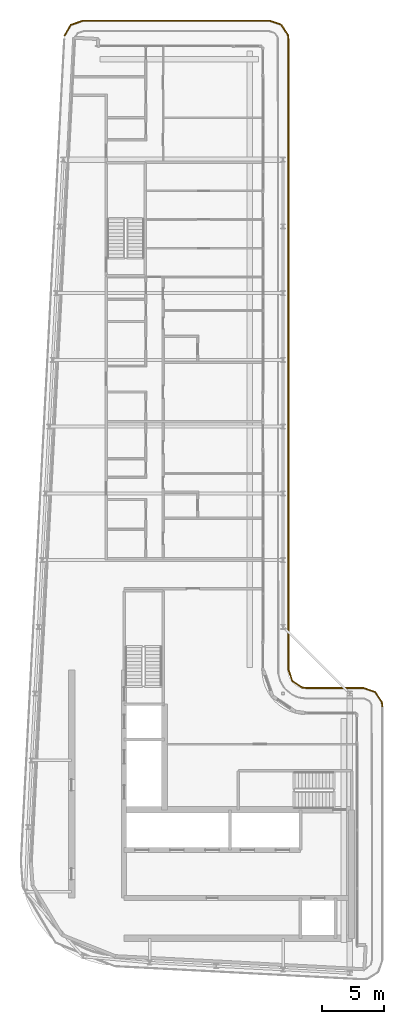
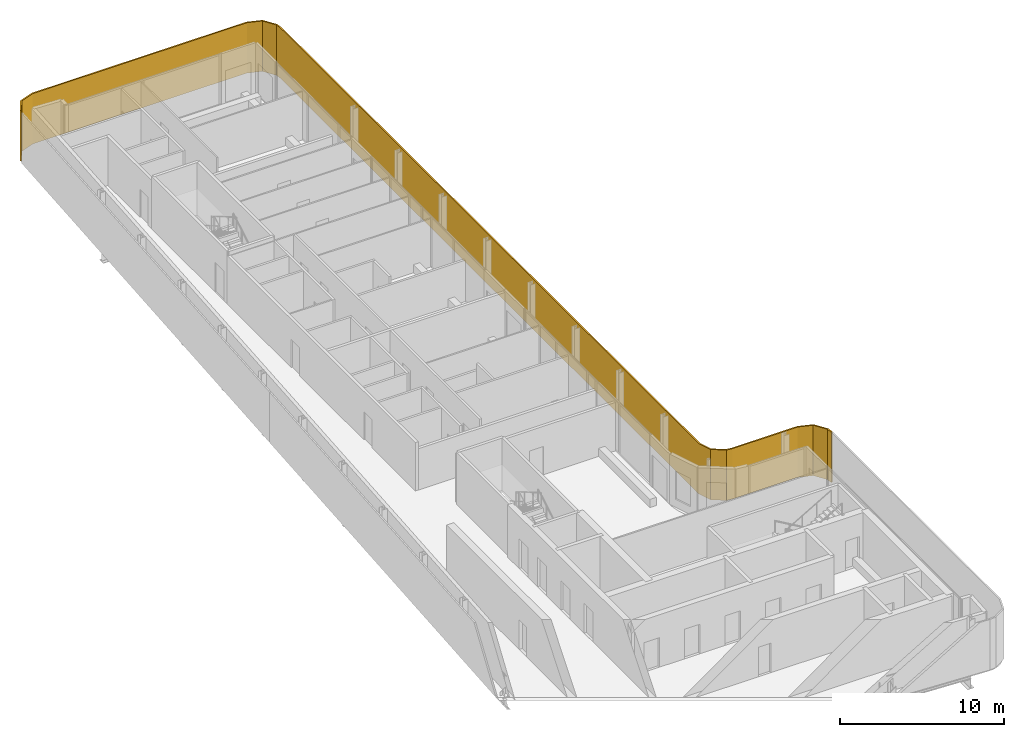
# One storey, part 17 of 18: 1 shading device.
"""IFC4 building model written with IfcOpenShell, lengths in metres."""

from ifc_helpers import new_model, si_unit, direction, frame, origin, place, context, subcontext, project, spatial, polyline, outline, extrude, material, layer, layer_set, type_object, element, save


model = new_model("IFC4")

# Units and contexts
model_context = context("Model", 3, precision=1e-05, world=origin(), true_north=direction((0.0, 1.0)))
body_context = subcontext(model_context, "Body", "Model", "MODEL_VIEW")
ifc_project = project(units=[si_unit("LENGTHUNIT", "METRE"), si_unit("AREAUNIT", "SQUARE_METRE"), si_unit("VOLUMEUNIT", "CUBIC_METRE"), si_unit("PLANEANGLEUNIT", "RADIAN"), si_unit("MASSUNIT", "GRAM", prefix="KILO")], contexts=[model_context])

# Site, building, storey
site_placement = place(None, origin())
site = spatial("IfcSite", under=ifc_project, at=site_placement, CompositionType="ELEMENT")
building_placement = place(site_placement, origin())
building = spatial("IfcBuilding", under=site, at=building_placement, Name="Kheshtan School and Residences Tower", CompositionType="ELEMENT")
storey_placement = place(building_placement, frame((0.0, 0.0, 373.39990234375)))
storey = spatial("IfcBuildingStorey", under=building, at=storey_placement, Name="L88", CompositionType="ELEMENT", Elevation=373.39990234375)

# Shading device
ifc_material = material(Name="Terracotta lattice, extruded ceramic", Category="masonry")
ifc_layer = layer(ifc_material, 0.10009765625)
ifc_layer_set = layer_set([ifc_layer], Name="Loggia screen, terracotta lattice")
shading_device_type = type_object("IfcShadingDeviceType", Name="Loggia screen, terracotta lattice", PredefinedType="USERDEFINED", material=ifc_layer_set)
shading_device_placement = place(storey_placement, origin())
element("IfcShadingDevice", 1, at=shading_device_placement, inside=storey, type_object=shading_device_type, Name="Screen L88 1", ObjectType="SCREEN", PredefinedType="USERDEFINED", context=body_context, shape_type="SweptSolid", body=[
    extrude(outline(polyline([(29.949951171875, 98.783935546875), (30.468017578125, 99.656982421875), (31.423095703125, 100.0), (46.5, 100.0), (47.4130859375, 99.68994140625), (47.948974609375, 98.887939453125), (48.0, 98.5), (48.0, 47.5), (48.31005859375, 46.5869140625), (49.112060546875, 46.051025390625), (49.5, 46.0), (54.10009765625, 46.0), (55.012939453125, 45.68994140625), (55.549072265625, 44.887939453125), (55.60009765625, 44.5), (55.698974609375, 44.512939453125), (55.64501953125, 44.924072265625), (55.076904296875, 45.77392578125), (54.116943359375, 46.10009765625), (49.507080078125, 46.10009765625), (49.14794921875, 46.14697265625), (48.39404296875, 46.65087890625), (48.10009765625, 47.51708984375), (48.10009765625, 98.507080078125), (48.044921875, 98.924072265625), (47.47705078125, 99.77392578125), (46.51708984375, 100.10009765625), (31.406005859375, 100.10009765625), (30.39990234375, 99.739013671875), (29.864013671875, 98.8349609375), (29.949951171875, 98.783935546875)])), origin(), (0.0, 0.0, 1.0), 3.75),
])

save(model, "model.ifc")
